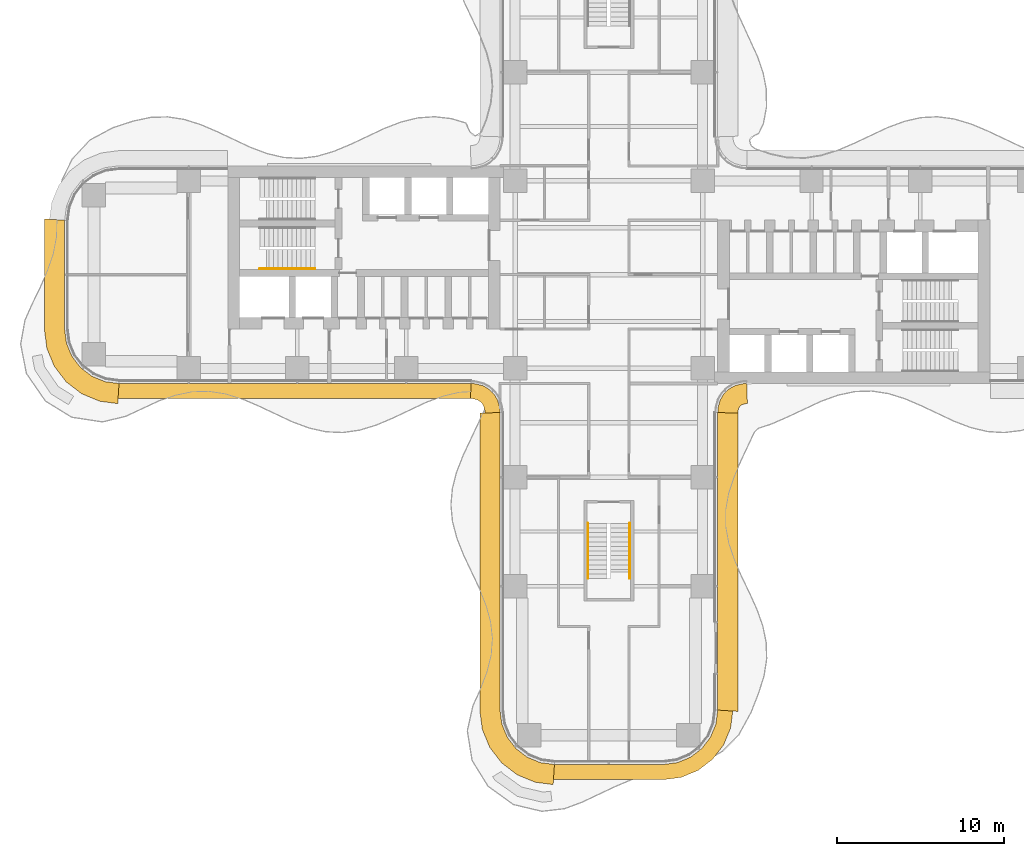
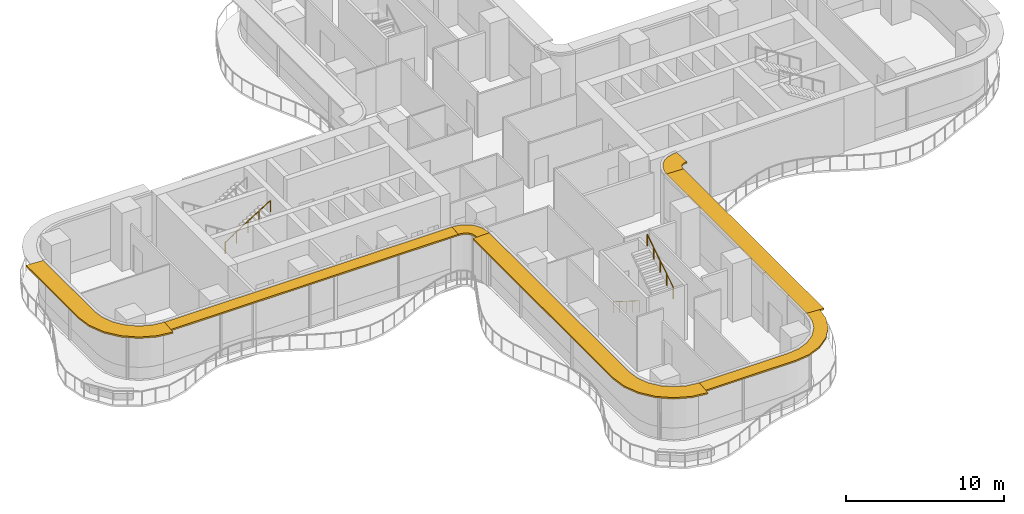
# One storey, part 22 of 23: 7 shading devices, 3 railings.
"""IFC4 building model written with IfcOpenShell, lengths in metres."""

from ifc_helpers import new_model, si_unit, direction, frame, origin, origin_2d, place, context, subcontext, project, spatial, polyline, circle, outline, extrude, source, transform, mapped, material, layer, layer_set, type_object, element, save


model = new_model("IFC4")

# Units and contexts
model_context = context("Model", 3, precision=1e-05, world=origin(), true_north=direction((0.0, 1.0)))
body_context = subcontext(model_context, "Body", "Model", "MODEL_VIEW")
ifc_project = project(units=[si_unit("LENGTHUNIT", "METRE"), si_unit("AREAUNIT", "SQUARE_METRE"), si_unit("VOLUMEUNIT", "CUBIC_METRE"), si_unit("PLANEANGLEUNIT", "RADIAN"), si_unit("MASSUNIT", "GRAM", prefix="KILO")], contexts=[model_context])

# Site, building, storey
site_placement = place(None, origin())
site = spatial("IfcSite", under=ifc_project, at=site_placement, CompositionType="ELEMENT")
building_placement = place(site_placement, origin())
building = spatial("IfcBuilding", under=site, at=building_placement, Name="Trellis Farm Tower", CompositionType="ELEMENT")
storey_placement = place(building_placement, frame((0.0, 0.0, 74.5)))
storey = spatial("IfcBuildingStorey", under=building, at=storey_placement, Name="L15", CompositionType="ELEMENT", Elevation=74.5)

# Railings
ifc_material_1 = material(Name="Stainless steel", Category="steel")
railing_type = type_object("IfcRailingType", Name="STAIR HANDRAIL 900", PredefinedType="HANDRAIL", material=ifc_material_1)
shared_shape_1 = source(origin(), body_context, "Body", "SweptSolid", [
    extrude(circle(Radius=0.02392578125, at=origin_2d()), frame((0.0, 0.0, 0.8759765625), z_axis=(0.0, 0.846319618018, 0.532675421018), x_axis=(-1.0, 0.0, 0.0)), (0.0, 0.0, 1.0), 3.89892578125),
    extrude(circle(Radius=0.02099609375, at=origin_2d()), origin(), (0.0, 0.0, 1.0), 0.851806640625),
    extrude(circle(Radius=0.02099609375, at=origin_2d()), frame((0.0, 0.824951171875, 0.519287109375)), (0.0, 0.0, 1.0), 0.851806640625),
    extrude(circle(Radius=0.02099609375, at=origin_2d()), frame((0.0, 1.64990234375, 1.03857421875)), (0.0, 0.0, 1.0), 0.851806640625),
    extrude(circle(Radius=0.02099609375, at=origin_2d()), frame((0.0, 2.474853515625, 1.5576171875)), (0.0, 0.0, 1.0), 0.851806640625),
    extrude(circle(Radius=0.02099609375, at=origin_2d()), frame((0.0, 3.2998046875, 2.076904296875)), (0.0, 0.0, 1.0), 0.851806640625),
])
railing_1_placement = place(storey_placement, frame((1.25, -18.14990234375, 2.423095703125)))
element("IfcRailing", 1, at=railing_1_placement, inside=storey, type_object=railing_type, Name="Stair handrail", PredefinedType="HANDRAIL", context=body_context, shape_type="MappedRepresentation", body=[
    mapped(shared_shape_1, transform((0.0, 0.0, 0.0))),
])
shared_shape_2 = source(origin(), body_context, "Body", "SweptSolid", [
    extrude(circle(Radius=0.02392578125, at=origin_2d()), frame((0.0, 0.0, 0.8759765625), z_axis=(0.0, -0.846319618018, 0.532675421018), x_axis=(1.0, 0.0, 0.0)), (0.0, 0.0, 1.0), 3.89892578125),
    extrude(circle(Radius=0.02099609375, at=origin_2d()), origin(), (0.0, 0.0, 1.0), 0.851806640625),
    extrude(circle(Radius=0.02099609375, at=origin_2d()), frame((0.0, -0.824951171875, 0.519287109375)), (0.0, 0.0, 1.0), 0.851806640625),
    extrude(circle(Radius=0.02099609375, at=origin_2d()), frame((0.0, -1.64990234375, 1.03857421875)), (0.0, 0.0, 1.0), 0.851806640625),
    extrude(circle(Radius=0.02099609375, at=origin_2d()), frame((0.0, -2.474853515625, 1.5576171875)), (0.0, 0.0, 1.0), 0.851806640625),
    extrude(circle(Radius=0.02099609375, at=origin_2d()), frame((0.0, -3.2998046875, 2.076904296875)), (0.0, 0.0, 1.0), 0.851806640625),
])
railing_2_placement = place(storey_placement, frame((-1.25, -14.85009765625, 0.173095703125)))
element("IfcRailing", 2, at=railing_2_placement, inside=storey, type_object=railing_type, Name="Stair handrail", PredefinedType="HANDRAIL", context=body_context, shape_type="MappedRepresentation", body=[
    mapped(shared_shape_2, transform((0.0, 0.0, 0.0))),
])
shared_shape_3 = source(origin(), body_context, "Body", "SweptSolid", [
    extrude(circle(Radius=0.02392578125, at=origin_2d()), frame((0.0, 0.0, 0.8759765625), z_axis=(0.846337383501, 0.0, 0.532647194011), x_axis=(0.0, 1.0, 0.0)), (0.0, 0.0, 1.0), 3.899169921875),
    extrude(circle(Radius=0.02099609375, at=origin_2d()), origin(), (0.0, 0.0, 1.0), 0.851806640625),
    extrude(circle(Radius=0.02099609375, at=origin_2d()), frame((0.824951171875, 0.0, 0.519287109375)), (0.0, 0.0, 1.0), 0.851806640625),
    extrude(circle(Radius=0.02099609375, at=origin_2d()), frame((1.64990234375, 0.0, 1.03857421875)), (0.0, 0.0, 1.0), 0.851806640625),
    extrude(circle(Radius=0.02099609375, at=origin_2d()), frame((2.47509765625, 0.0, 1.5576171875)), (0.0, 0.0, 1.0), 0.851806640625),
    extrude(circle(Radius=0.02099609375, at=origin_2d()), frame((3.300048828125, 0.0, 2.076904296875)), (0.0, 0.0, 1.0), 0.851806640625),
])
railing_3_placement = place(storey_placement, frame((-20.85009765625, 0.35009765625, 2.423095703125)))
element("IfcRailing", 3, at=railing_3_placement, inside=storey, type_object=railing_type, Name="Stair handrail", PredefinedType="HANDRAIL", context=body_context, shape_type="MappedRepresentation", body=[
    mapped(shared_shape_3, transform((0.0, 0.0, 0.0))),
])

# Shading devices
ifc_material_2 = material(Name="Aluminium extrusion 6063-T6", Category="aluminium")
ifc_layer_1 = layer(ifc_material_2, 0.1201171875)
ifc_layer_set_1 = layer_set([ifc_layer_1], Name="SUNSHADE BLADE 900")
shading_device_type_1 = type_object("IfcShadingDeviceType", Name="SUNSHADE BLADE 900", PredefinedType="USERDEFINED", material=ifc_layer_set_1)
shared_shape_4 = source(origin(), body_context, "Body", "SweptSolid", [
    extrude(outline(polyline([(-29.30908203125, -7.39990234375), (-8.2607421875, -7.39990234375), (-8.2314453125, -6.5), (-29.25, -6.5), (-29.30908203125, -7.39990234375)])), origin(), (0.0, 0.0, 1.0), 0.119873046875),
])
placement = place(storey_placement, frame((0.0, 0.0, 4.090087890625)))
element("IfcShadingDevice", 4, at=placement, inside=storey, type_object=shading_device_type_1, Name="SD1 001", ObjectType="SUNSHADE", PredefinedType="USERDEFINED", context=body_context, shape_type="MappedRepresentation", body=[
    mapped(shared_shape_4, transform((0.0, 0.0, 0.0))),
])
shared_shape_5 = source(origin(), body_context, "Body", "SweptSolid", [
    extrude(outline(polyline([(-8.2607421875, -7.39990234375), (-8.107666015625, -7.409912109375), (-8.091552734375, -7.412109375), (-7.85595703125, -7.475341796875), (-7.697021484375, -7.567138671875), (-7.567138671875, -7.697021484375), (-7.475341796875, -7.85595703125), (-7.412109375, -8.091552734375), (-7.409912109375, -8.107666015625), (-7.39990234375, -8.2607421875), (-6.5, -8.2314453125), (-6.513916015625, -8.01953125), (-6.527587890625, -7.91552734375), (-6.63671875, -7.508544921875), (-6.846923828125, -7.144287109375), (-7.144287109375, -6.846923828125), (-7.508544921875, -6.63671875), (-7.91552734375, -6.527587890625), (-8.01953125, -6.513916015625), (-8.2314453125, -6.5), (-8.2607421875, -7.39990234375)])), origin(), (0.0, 0.0, 1.0), 0.119873046875),
])
element("IfcShadingDevice", 5, at=placement, inside=storey, type_object=shading_device_type_1, Name="SD1 002", ObjectType="SUNSHADE", PredefinedType="USERDEFINED", context=body_context, shape_type="MappedRepresentation", body=[
    mapped(shared_shape_5, transform((0.0, 0.0, 0.0))),
])
ifc_layer_2 = layer(ifc_material_2, 0.1201171875)
ifc_layer_set_2 = layer_set([ifc_layer_2], Name="SUNSHADE BLADE 1200")
shading_device_type_2 = type_object("IfcShadingDeviceType", Name="SUNSHADE BLADE 1200", PredefinedType="USERDEFINED", material=ifc_layer_set_2)
shared_shape_6 = source(origin(), body_context, "Body", "SweptSolid", [
    extrude(outline(polyline([(-7.699951171875, -8.270751953125), (-7.699951171875, -26.07861328125), (-7.558349609375, -27.154541015625), (-7.11279296875, -28.230224609375), (-6.404052734375, -29.154052734375), (-5.480224609375, -29.86279296875), (-4.404541015625, -30.308349609375), (-3.32861328125, -30.449951171875), (-3.25, -29.25), (-4.091064453125, -29.13916015625), (-4.875, -28.814697265625), (-5.548095703125, -28.298095703125), (-6.064697265625, -27.625), (-6.38916015625, -26.841064453125), (-6.5, -26.0), (-6.5, -8.2314453125), (-7.699951171875, -8.270751953125)])), origin(), (0.0, 0.0, 1.0), 0.119873046875),
])
element("IfcShadingDevice", 6, at=placement, inside=storey, type_object=shading_device_type_2, Name="SD2 003", ObjectType="SUNSHADE", PredefinedType="USERDEFINED", context=body_context, shape_type="MappedRepresentation", body=[
    mapped(shared_shape_6, transform((0.0, 0.0, 0.0))),
])
shared_shape_7 = source(origin(), body_context, "Body", "SweptSolid", [
    extrude(outline(polyline([(-3.30908203125, -30.14990234375), (3.30908203125, -30.14990234375), (4.326171875, -30.01611328125), (5.328857421875, -29.600830078125), (6.18994140625, -28.93994140625), (6.850830078125, -28.078857421875), (7.26611328125, -27.076171875), (7.39990234375, -26.05908203125), (6.5, -26.0), (6.38916015625, -26.841064453125), (6.064697265625, -27.625), (5.548095703125, -28.298095703125), (4.875, -28.814697265625), (4.091064453125, -29.13916015625), (3.25, -29.25), (-3.25, -29.25), (-3.30908203125, -30.14990234375)])), origin(), (0.0, 0.0, 1.0), 0.119873046875),
])
element("IfcShadingDevice", 7, at=placement, inside=storey, type_object=shading_device_type_1, Name="SD1 004", ObjectType="SUNSHADE", PredefinedType="USERDEFINED", context=body_context, shape_type="MappedRepresentation", body=[
    mapped(shared_shape_7, transform((0.0, 0.0, 0.0))),
])
shared_shape_8 = source(origin(), body_context, "Body", "SweptSolid", [
    extrude(outline(polyline([(7.699951171875, -26.07861328125), (7.699951171875, -8.270751953125), (6.5, -8.2314453125), (6.5, -26.0), (7.699951171875, -26.07861328125)])), origin(), (0.0, 0.0, 1.0), 0.119873046875),
])
element("IfcShadingDevice", 8, at=placement, inside=storey, type_object=shading_device_type_2, Name="SD2 005", ObjectType="SUNSHADE", PredefinedType="USERDEFINED", context=body_context, shape_type="MappedRepresentation", body=[
    mapped(shared_shape_8, transform((0.0, 0.0, 0.0))),
])
shared_shape_9 = source(origin(), body_context, "Body", "SweptSolid", [
    extrude(outline(polyline([(7.699951171875, -8.270751953125), (7.708740234375, -8.13720703125), (7.70703125, -8.150146484375), (7.7548828125, -7.9716796875), (7.80712890625, -7.881103515625), (7.881103515625, -7.80712890625), (7.9716796875, -7.7548828125), (8.150146484375, -7.70703125), (8.13720703125, -7.708740234375), (8.270751953125, -7.699951171875), (8.2314453125, -6.5), (8.01953125, -6.513916015625), (7.91552734375, -6.527587890625), (7.508544921875, -6.63671875), (7.144287109375, -6.846923828125), (6.846923828125, -7.144287109375), (6.63671875, -7.508544921875), (6.527587890625, -7.91552734375), (6.513916015625, -8.01953125), (6.5, -8.2314453125), (7.699951171875, -8.270751953125)])), origin(), (0.0, 0.0, 1.0), 0.119873046875),
])
element("IfcShadingDevice", 9, at=placement, inside=storey, type_object=shading_device_type_2, Name="SD2 006", ObjectType="SUNSHADE", PredefinedType="USERDEFINED", context=body_context, shape_type="MappedRepresentation", body=[
    mapped(shared_shape_9, transform((0.0, 0.0, 0.0))),
])
shared_shape_10 = source(origin(), body_context, "Body", "SweptSolid", [
    extrude(outline(polyline([(-33.699951171875, 3.32861328125), (-33.699951171875, -3.32861328125), (-33.558349609375, -4.404541015625), (-33.11279296875, -5.480224609375), (-32.404052734375, -6.404052734375), (-31.480224609375, -7.11279296875), (-30.404541015625, -7.558349609375), (-29.32861328125, -7.699951171875), (-29.25, -6.5), (-30.091064453125, -6.38916015625), (-30.875, -6.064697265625), (-31.548095703125, -5.548095703125), (-32.064697265625, -4.875), (-32.38916015625, -4.091064453125), (-32.5, -3.25), (-32.5, 3.25), (-33.699951171875, 3.32861328125)])), origin(), (0.0, 0.0, 1.0), 0.119873046875),
])
element("IfcShadingDevice", 10, at=placement, inside=storey, type_object=shading_device_type_2, Name="SD2 016", ObjectType="SUNSHADE", PredefinedType="USERDEFINED", context=body_context, shape_type="MappedRepresentation", body=[
    mapped(shared_shape_10, transform((0.0, 0.0, 0.0))),
])

save(model, "model.ifc")
